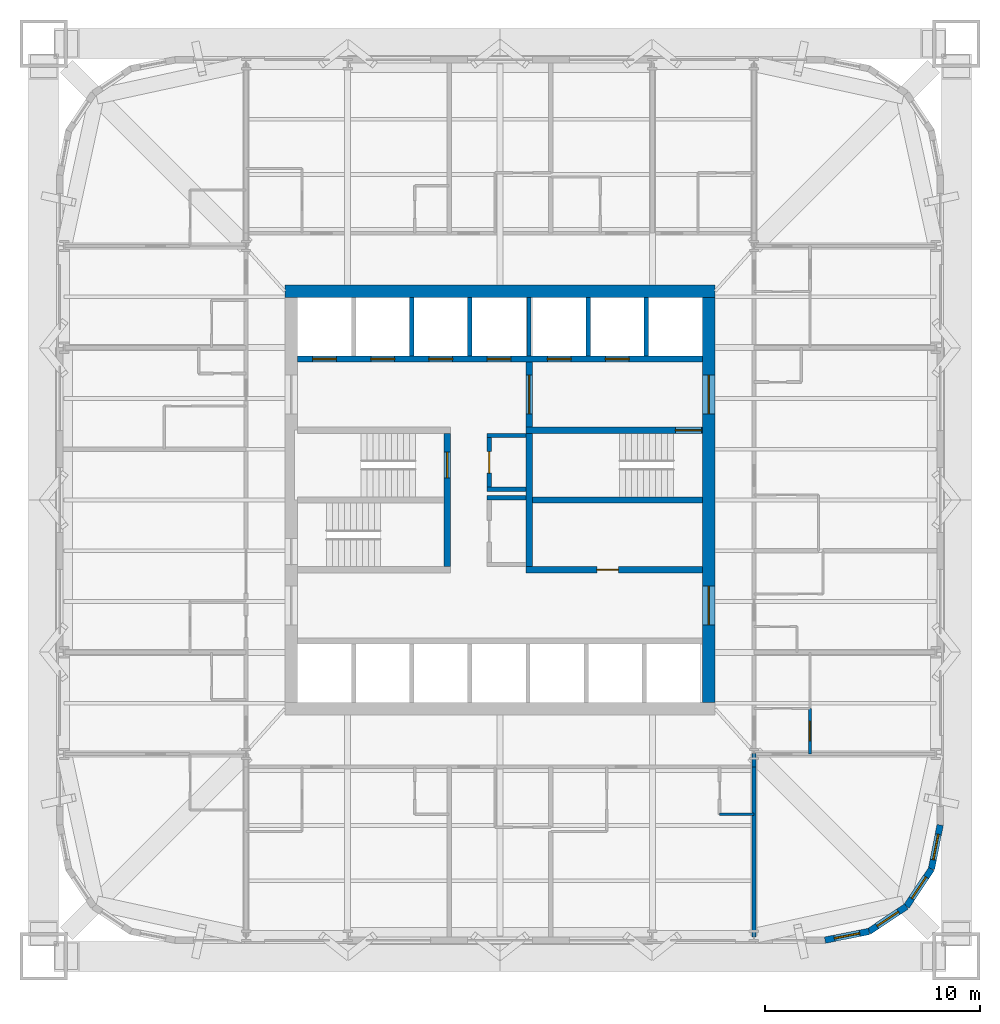
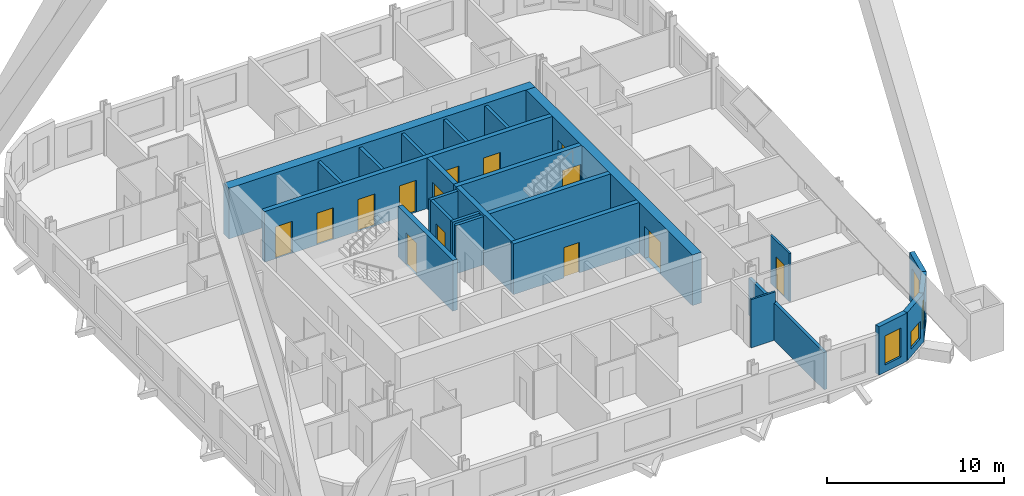
# One storey, part 5 of 9: 25 walls, 14 doors, 4 windows, 18 openings.
"""IFC4 building model written with IfcOpenShell, lengths in metres."""

from ifc_helpers import new_model, si_unit, direction, frame, frame_2d, origin, place, context, subcontext, project, spatial, rectangle, extrude, material, layer, layer_set, type_object, element, fill, save


model = new_model("IFC4")

# Units and contexts
model_context = context("Model", 3, precision=1e-05, world=origin(), true_north=direction((0.0, 1.0)))
body_context = subcontext(model_context, "Body", "Model", "MODEL_VIEW")
ifc_project = project(units=[si_unit("LENGTHUNIT", "METRE"), si_unit("AREAUNIT", "SQUARE_METRE"), si_unit("VOLUMEUNIT", "CUBIC_METRE"), si_unit("PLANEANGLEUNIT", "RADIAN"), si_unit("MASSUNIT", "GRAM", prefix="KILO")], contexts=[model_context])

# Site, building, storey
site_placement = place(None, origin())
site = spatial("IfcSite", under=ifc_project, at=site_placement, CompositionType="ELEMENT")
building_placement = place(site_placement, origin())
building = spatial("IfcBuilding", under=site, at=building_placement, Name="Turquesa Mirador Hotel Tower", CompositionType="ELEMENT")
storey_placement = place(building_placement, frame((0.0, 0.0, 93.39990234375)))
storey = spatial("IfcBuildingStorey", under=building, at=storey_placement, Name="L24", CompositionType="ELEMENT", Elevation=93.39990234375)

# Wall, openings, doors
ifc_material_1 = material(Name="Concrete C50/60", Category="concrete")
ifc_layer_1 = layer(ifc_material_1, 0.300048828125)
ifc_layer_set_1 = layer_set([ifc_layer_1], Name="CORE INNER WALL 300")
wall_type_1 = type_object("IfcWallType", Name="CORE INNER WALL 300", PredefinedType="SHEAR", material=ifc_layer_set_1)
wall_1_placement = place(storey_placement, frame((45.60009765625, 51.550048828125, 0.0), z_axis=(0.0, 0.0, 1.0), x_axis=(1.0, 0.0, 0.0)))
wall_1 = element("IfcWall", 1, at=wall_1_placement, inside=storey, type_object=wall_type_1, Name="Core wall NL", PredefinedType="SHEAR", context=body_context, shape_type="SweptSolid", body=[
    extrude(rectangle(XDim=18.7998046875, YDim=0.300048828125, at=frame_2d((9.39990234375, 0.0))), origin(), (0.0, 0.0, 1.0), 3.5),
])
opening_1_placement = place(wall_1_placement, frame((0.699951171875, 0.0, 0.0)))
opening_1 = element("IfcOpeningElement", 2, at=opening_1_placement, cuts=wall_1, Name="Opening LD", PredefinedType="OPENING", context=body_context, shape_type="SweptSolid", body=[
    extrude(rectangle(XDim=1.10009765625, YDim=2.199951171875, at=frame_2d((0.550048828125, 1.10009765625))), frame((0.0, 0.159912109375, 0.0), z_axis=(0.0, -1.0, 0.0), x_axis=(1.0, 0.0, 0.0)), (0.0, 0.0, 1.0), 0.320068359375),
])
opening_2_placement = place(wall_1_placement, frame((3.39990234375, 0.0, 0.0)))
opening_2 = element("IfcOpeningElement", 3, at=opening_2_placement, cuts=wall_1, Name="Opening LD", PredefinedType="OPENING", context=body_context, shape_type="SweptSolid", body=[
    extrude(rectangle(XDim=1.10009765625, YDim=2.199951171875, at=frame_2d((0.550048828125, 1.10009765625))), frame((0.0, 0.159912109375, 0.0), z_axis=(0.0, -1.0, 0.0), x_axis=(1.0, 0.0, 0.0)), (0.0, 0.0, 1.0), 0.320068359375),
])
opening_3_placement = place(wall_1_placement, frame((6.10009765625, 0.0, 0.0)))
opening_3 = element("IfcOpeningElement", 4, at=opening_3_placement, cuts=wall_1, Name="Opening LD", PredefinedType="OPENING", context=body_context, shape_type="SweptSolid", body=[
    extrude(rectangle(XDim=1.10009765625, YDim=2.199951171875, at=frame_2d((0.550048828125, 1.10009765625))), frame((0.0, 0.159912109375, 0.0), z_axis=(0.0, -1.0, 0.0), x_axis=(1.0, 0.0, 0.0)), (0.0, 0.0, 1.0), 0.320068359375),
])
opening_4_placement = place(wall_1_placement, frame((8.800048828125, 0.0, 0.0)))
opening_4 = element("IfcOpeningElement", 5, at=opening_4_placement, cuts=wall_1, Name="Opening LD", PredefinedType="OPENING", context=body_context, shape_type="SweptSolid", body=[
    extrude(rectangle(XDim=1.10009765625, YDim=2.199951171875, at=frame_2d((0.550048828125, 1.10009765625))), frame((0.0, 0.159912109375, 0.0), z_axis=(0.0, -1.0, 0.0), x_axis=(1.0, 0.0, 0.0)), (0.0, 0.0, 1.0), 0.320068359375),
])
opening_5_placement = place(wall_1_placement, frame((11.60009765625, 0.0, 0.0)))
opening_5 = element("IfcOpeningElement", 6, at=opening_5_placement, cuts=wall_1, Name="Opening LD", PredefinedType="OPENING", context=body_context, shape_type="SweptSolid", body=[
    extrude(rectangle(XDim=1.10009765625, YDim=2.199951171875, at=frame_2d((0.550048828125, 1.10009765625))), frame((0.0, 0.159912109375, 0.0), z_axis=(0.0, -1.0, 0.0), x_axis=(1.0, 0.0, 0.0)), (0.0, 0.0, 1.0), 0.320068359375),
])
opening_6_placement = place(wall_1_placement, frame((14.300048828125, 0.0, 0.0)))
opening_6 = element("IfcOpeningElement", 7, at=opening_6_placement, cuts=wall_1, Name="Opening LD", PredefinedType="OPENING", context=body_context, shape_type="SweptSolid", body=[
    extrude(rectangle(XDim=1.10009765625, YDim=2.199951171875, at=frame_2d((0.550048828125, 1.10009765625))), frame((0.0, 0.159912109375, 0.0), z_axis=(0.0, -1.0, 0.0), x_axis=(1.0, 0.0, 0.0)), (0.0, 0.0, 1.0), 0.320068359375),
])
ifc_material_2 = material(Name="Stainless steel lift landing door", Category="steel")
door_type_1 = type_object("IfcDoorType", Name="LIFT LANDING DOOR 1100X2200", OperationType="SLIDING_TO_LEFT", PredefinedType="DOOR", material=ifc_material_2)
door_1_placement = place(opening_1_placement, origin())
door_1 = element("IfcDoor", 8, at=door_1_placement, inside=storey, type_object=door_type_1, Name="Lift A1 landing door", OperationType="SLIDING_TO_LEFT", OverallHeight=2.199951171875, OverallWidth=1.10009765625, PredefinedType="DOOR", context=body_context, shape_type="SweptSolid", body=[
    extrude(rectangle(XDim=1.10009765625, YDim=2.199951171875, at=frame_2d((0.550048828125, 1.10009765625))), frame((0.0, 0.02490234375, 0.0), z_axis=(0.0, -1.0, 0.0), x_axis=(1.0, 0.0, 0.0)), (0.0, 0.0, 1.0), 0.050048828125),
])
fill(opening_1, door_1)
door_2_placement = place(opening_2_placement, origin())
door_2 = element("IfcDoor", 9, at=door_2_placement, inside=storey, type_object=door_type_1, Name="Lift A2 landing door", OperationType="SLIDING_TO_LEFT", OverallHeight=2.199951171875, OverallWidth=1.10009765625, PredefinedType="DOOR", context=body_context, shape_type="SweptSolid", body=[
    extrude(rectangle(XDim=1.10009765625, YDim=2.199951171875, at=frame_2d((0.550048828125, 1.10009765625))), frame((0.0, 0.02490234375, 0.0), z_axis=(0.0, -1.0, 0.0), x_axis=(1.0, 0.0, 0.0)), (0.0, 0.0, 1.0), 0.050048828125),
])
fill(opening_2, door_2)
door_3_placement = place(opening_3_placement, origin())
door_3 = element("IfcDoor", 10, at=door_3_placement, inside=storey, type_object=door_type_1, Name="Lift A3 landing door", OperationType="SLIDING_TO_LEFT", OverallHeight=2.199951171875, OverallWidth=1.10009765625, PredefinedType="DOOR", context=body_context, shape_type="SweptSolid", body=[
    extrude(rectangle(XDim=1.10009765625, YDim=2.199951171875, at=frame_2d((0.550048828125, 1.10009765625))), frame((0.0, 0.02490234375, 0.0), z_axis=(0.0, -1.0, 0.0), x_axis=(1.0, 0.0, 0.0)), (0.0, 0.0, 1.0), 0.050048828125),
])
fill(opening_3, door_3)
door_4_placement = place(opening_4_placement, origin())
door_4 = element("IfcDoor", 11, at=door_4_placement, inside=storey, type_object=door_type_1, Name="Lift A4 landing door", OperationType="SLIDING_TO_LEFT", OverallHeight=2.199951171875, OverallWidth=1.10009765625, PredefinedType="DOOR", context=body_context, shape_type="SweptSolid", body=[
    extrude(rectangle(XDim=1.10009765625, YDim=2.199951171875, at=frame_2d((0.550048828125, 1.10009765625))), frame((0.0, 0.02490234375, 0.0), z_axis=(0.0, -1.0, 0.0), x_axis=(1.0, 0.0, 0.0)), (0.0, 0.0, 1.0), 0.050048828125),
])
fill(opening_4, door_4)
door_5_placement = place(opening_5_placement, origin())
door_5 = element("IfcDoor", 12, at=door_5_placement, inside=storey, type_object=door_type_1, Name="Lift S1 landing door", OperationType="SLIDING_TO_LEFT", OverallHeight=2.199951171875, OverallWidth=1.10009765625, PredefinedType="DOOR", context=body_context, shape_type="SweptSolid", body=[
    extrude(rectangle(XDim=1.10009765625, YDim=2.199951171875, at=frame_2d((0.550048828125, 1.10009765625))), frame((0.0, 0.02490234375, 0.0), z_axis=(0.0, -1.0, 0.0), x_axis=(1.0, 0.0, 0.0)), (0.0, 0.0, 1.0), 0.050048828125),
])
fill(opening_5, door_5)
door_6_placement = place(opening_6_placement, origin())
door_6 = element("IfcDoor", 13, at=door_6_placement, inside=storey, type_object=door_type_1, Name="Lift S2 landing door", OperationType="SLIDING_TO_LEFT", OverallHeight=2.199951171875, OverallWidth=1.10009765625, PredefinedType="DOOR", context=body_context, shape_type="SweptSolid", body=[
    extrude(rectangle(XDim=1.10009765625, YDim=2.199951171875, at=frame_2d((0.550048828125, 1.10009765625))), frame((0.0, 0.02490234375, 0.0), z_axis=(0.0, -1.0, 0.0), x_axis=(1.0, 0.0, 0.0)), (0.0, 0.0, 1.0), 0.050048828125),
])
fill(opening_6, door_6)

# Wall, opening, door
wall_2_placement = place(storey_placement, frame((56.199951171875, 48.25, 0.0), z_axis=(0.0, 0.0, 1.0), x_axis=(1.0, 0.0, 0.0)))
wall_2 = element("IfcWall", 14, at=wall_2_placement, inside=storey, type_object=wall_type_1, Name="Core wall MN-E", PredefinedType="SHEAR", context=body_context, shape_type="SweptSolid", body=[
    extrude(rectangle(XDim=8.199951171875, YDim=0.300048828125, at=frame_2d((4.10009765625, 0.0))), origin(), (0.0, 0.0, 1.0), 3.5),
])
opening_7_placement = place(wall_2_placement, frame((6.949951171875, 0.0, 0.0)))
opening_7 = element("IfcOpeningElement", 15, at=opening_7_placement, cuts=wall_2, Name="Opening D03", PredefinedType="OPENING", context=body_context, shape_type="SweptSolid", body=[
    extrude(rectangle(XDim=1.199951171875, YDim=2.199951171875, at=frame_2d((0.60009765625, 1.10009765625))), frame((0.0, 0.159912109375, 0.0), z_axis=(0.0, -1.0, 0.0), x_axis=(1.0, 0.0, 0.0)), (0.0, 0.0, 1.0), 0.320068359375),
])
ifc_material_3 = material(Name="Steel fire door", Category="steel")
door_type_2 = type_object("IfcDoorType", Name="DOOR 1200X2200 STAIR", OperationType="SINGLE_SWING_LEFT", PredefinedType="DOOR", material=ifc_material_3)
door_7_placement = place(opening_7_placement, origin())
door_7 = element("IfcDoor", 16, at=door_7_placement, inside=storey, type_object=door_type_2, Name="Stair ST3 door", OperationType="SINGLE_SWING_LEFT", OverallHeight=2.199951171875, OverallWidth=1.199951171875, PredefinedType="DOOR", context=body_context, shape_type="SweptSolid", body=[
    extrude(rectangle(XDim=1.199951171875, YDim=2.199951171875, at=frame_2d((0.60009765625, 1.10009765625))), frame((0.0, 0.02490234375, 0.0), z_axis=(0.0, -1.0, 0.0), x_axis=(1.0, 0.0, 0.0)), (0.0, 0.0, 1.0), 0.050048828125),
])
fill(opening_7, door_7)

wall_3_placement = place(storey_placement, frame((56.199951171875, 41.75, 0.0), z_axis=(0.0, 0.0, 1.0), x_axis=(1.0, 0.0, 0.0)))
wall_3 = element("IfcWall", 17, at=wall_3_placement, inside=storey, type_object=wall_type_1, Name="Core wall MS-E", PredefinedType="SHEAR", context=body_context, shape_type="SweptSolid", body=[
    extrude(rectangle(XDim=8.199951171875, YDim=0.300048828125, at=frame_2d((4.10009765625, 0.0))), origin(), (0.0, 0.0, 1.0), 3.5),
])
opening_8_placement = place(wall_3_placement, frame((3.300048828125, 0.0, 0.0)))
opening_8 = element("IfcOpeningElement", 18, at=opening_8_placement, cuts=wall_3, Name="Opening D05", PredefinedType="OPENING", context=body_context, shape_type="SweptSolid", body=[
    extrude(rectangle(XDim=1.0, YDim=2.10009765625, at=frame_2d((0.5, 1.050048828125))), frame((0.0, 0.159912109375, 0.0), z_axis=(0.0, -1.0, 0.0), x_axis=(1.0, 0.0, 0.0)), (0.0, 0.0, 1.0), 0.320068359375),
])
ifc_material_4 = material(Name="Steel fire door", Category="steel")
door_type_3 = type_object("IfcDoorType", Name="DOOR 1000X2100 SERVICE", OperationType="SINGLE_SWING_LEFT", PredefinedType="DOOR", material=ifc_material_4)
door_8_placement = place(opening_8_placement, origin())
door_8 = element("IfcDoor", 19, at=door_8_placement, inside=storey, type_object=door_type_3, Name="Housekeeping room door", OperationType="SINGLE_SWING_LEFT", OverallHeight=2.10009765625, OverallWidth=1.0, PredefinedType="DOOR", context=body_context, shape_type="SweptSolid", body=[
    extrude(rectangle(XDim=1.0, YDim=2.10009765625, at=frame_2d((0.5, 1.050048828125))), frame((0.0, 0.02490234375, 0.0), z_axis=(0.0, -1.0, 0.0), x_axis=(1.0, 0.0, 0.0)), (0.0, 0.0, 1.0), 0.050048828125),
])
fill(opening_8, door_8)

wall_4_placement = place(storey_placement, frame((52.550048828125, 41.89990234375, 0.0), z_axis=(0.0, 0.0, 1.0), x_axis=(0.0, 1.0, 0.0)))
wall_4 = element("IfcWall", 20, at=wall_4_placement, inside=storey, type_object=wall_type_1, Name="Core wall PW", PredefinedType="SHEAR", context=body_context, shape_type="SweptSolid", body=[
    extrude(rectangle(XDim=6.2001953125, YDim=0.300048828125, at=frame_2d((3.10009765625, 0.0))), origin(), (0.0, 0.0, 1.0), 3.5),
])
opening_9_placement = place(wall_4_placement, frame((4.125, 0.0, 0.0)))
opening_9 = element("IfcOpeningElement", 21, at=opening_9_placement, cuts=wall_4, Name="Opening D03", PredefinedType="OPENING", context=body_context, shape_type="SweptSolid", body=[
    extrude(rectangle(XDim=1.199951171875, YDim=2.199951171875, at=frame_2d((0.60009765625, 1.10009765625))), frame((0.0, 0.159912109375, 0.0), z_axis=(0.0, -1.0, 0.0), x_axis=(1.0, 0.0, 0.0)), (0.0, 0.0, 1.0), 0.320068359375),
])
door_9_placement = place(opening_9_placement, origin())
door_9 = element("IfcDoor", 22, at=door_9_placement, inside=storey, type_object=door_type_2, Name="Stair ST1 door", OperationType="SINGLE_SWING_LEFT", OverallHeight=2.199951171875, OverallWidth=1.199951171875, PredefinedType="DOOR", context=body_context, shape_type="SweptSolid", body=[
    extrude(rectangle(XDim=1.199951171875, YDim=2.199951171875, at=frame_2d((0.60009765625, 1.10009765625))), frame((0.0, 0.02490234375, 0.0), z_axis=(0.0, -1.0, 0.0), x_axis=(1.0, 0.0, 0.0)), (0.0, 0.0, 1.0), 0.050048828125),
])
fill(opening_9, door_9)

wall_5_placement = place(storey_placement, frame((56.35009765625, 41.89990234375, 0.0), z_axis=(0.0, 0.0, 1.0), x_axis=(0.0, 1.0, 0.0)))
wall_5 = element("IfcWall", 23, at=wall_5_placement, inside=storey, type_object=wall_type_1, Name="Core wall PE", PredefinedType="SHEAR", context=body_context, shape_type="SweptSolid", body=[
    extrude(rectangle(XDim=9.5, YDim=0.300048828125, at=frame_2d((4.75, 0.0))), origin(), (0.0, 0.0, 1.0), 3.5),
])
opening_10_placement = place(wall_5_placement, frame((7.10009765625, 0.0, 0.0)))
opening_10 = element("IfcOpeningElement", 24, at=opening_10_placement, cuts=wall_5, Name="Opening D04", PredefinedType="OPENING", context=body_context, shape_type="SweptSolid", body=[
    extrude(rectangle(XDim=1.800048828125, YDim=2.199951171875, at=frame_2d((0.89990234375, 1.10009765625))), frame((0.0, 0.159912109375, 0.0), z_axis=(0.0, -1.0, 0.0), x_axis=(1.0, 0.0, 0.0)), (0.0, 0.0, 1.0), 0.320068359375),
])
ifc_material_5 = material(Name="Steel fire door pair", Category="steel")
door_type_4 = type_object("IfcDoorType", Name="DOOR 1800X2200 PAIR", OperationType="DOUBLE_DOOR_SINGLE_SWING", PredefinedType="DOOR", material=ifc_material_5)
door_10_placement = place(opening_10_placement, origin())
door_10 = element("IfcDoor", 25, at=door_10_placement, inside=storey, type_object=door_type_4, Name="Firefighting lobby inner door", OperationType="DOUBLE_DOOR_SINGLE_SWING", OverallHeight=2.199951171875, OverallWidth=1.800048828125, PredefinedType="DOOR", context=body_context, shape_type="SweptSolid", body=[
    extrude(rectangle(XDim=1.800048828125, YDim=2.199951171875, at=frame_2d((0.89990234375, 1.10009765625))), frame((0.0, 0.02490234375, 0.0), z_axis=(0.0, -1.0, 0.0), x_axis=(1.0, 0.0, 0.0)), (0.0, 0.0, 1.0), 0.050048828125),
])
fill(opening_10, door_10)

# Walls
wall_6_placement = place(storey_placement, frame((56.5, 45.0, 0.0), z_axis=(0.0, 0.0, 1.0), x_axis=(1.0, 0.0, 0.0)))
element("IfcWall", 26, at=wall_6_placement, inside=storey, type_object=wall_type_1, Name="Core wall M0-E", PredefinedType="SHEAR", context=body_context, shape_type="SweptSolid", body=[
    extrude(rectangle(XDim=7.89990234375, YDim=0.300048828125, at=frame_2d((3.949951171875, 0.0))), origin(), (0.0, 0.0, 1.0), 3.5),
])
ifc_material_6 = material(Name="Concrete C50/60", Category="concrete")
ifc_layer_2 = layer(ifc_material_6, 0.60009765625)
ifc_layer_set_2 = layer_set([ifc_layer_2], Name="CORE WALL 600")
wall_type_2 = type_object("IfcWallType", Name="CORE WALL 600", PredefinedType="SHEAR", material=ifc_layer_set_2)
wall_7_placement = place(storey_placement, frame((45.0, 54.699951171875, 0.0), z_axis=(0.0, 0.0, 1.0), x_axis=(1.0, 0.0, 0.0)))
element("IfcWall", 27, at=wall_7_placement, inside=storey, type_object=wall_type_2, Name="Core wall N", PredefinedType="SHEAR", context=body_context, shape_type="SweptSolid", body=[
    extrude(rectangle(XDim=20.0, YDim=0.60009765625, at=frame_2d((10.0, 0.0))), origin(), (0.0, 0.0, 1.0), 3.5),
])

# Wall, openings, doors
wall_8_placement = place(storey_placement, frame((64.699951171875, 35.60009765625, 0.0), z_axis=(0.0, 0.0, 1.0), x_axis=(0.0, 1.0, 0.0)))
wall_8 = element("IfcWall", 28, at=wall_8_placement, inside=storey, type_object=wall_type_2, Name="Core wall E", PredefinedType="SHEAR", context=body_context, shape_type="SweptSolid", body=[
    extrude(rectangle(XDim=18.7998046875, YDim=0.60009765625, at=frame_2d((9.39990234375, 0.0))), origin(), (0.0, 0.0, 1.0), 3.5),
])
opening_11_placement = place(wall_8_placement, frame((13.39990234375, 0.0, 0.0)))
opening_11 = element("IfcOpeningElement", 29, at=opening_11_placement, cuts=wall_8, Name="Opening D04", PredefinedType="OPENING", context=body_context, shape_type="SweptSolid", body=[
    extrude(rectangle(XDim=1.800048828125, YDim=2.199951171875, at=frame_2d((0.89990234375, 1.10009765625))), frame((0.0, 0.31005859375, 0.0), z_axis=(0.0, -1.0, 0.0), x_axis=(1.0, 0.0, 0.0)), (0.0, 0.0, 1.0), 0.6201171875),
])
opening_12_placement = place(wall_8_placement, frame((3.60009765625, 0.0, 0.0)))
opening_12 = element("IfcOpeningElement", 30, at=opening_12_placement, cuts=wall_8, Name="Opening D04", PredefinedType="OPENING", context=body_context, shape_type="SweptSolid", body=[
    extrude(rectangle(XDim=1.800048828125, YDim=2.199951171875, at=frame_2d((0.89990234375, 1.10009765625))), frame((0.0, 0.31005859375, 0.0), z_axis=(0.0, -1.0, 0.0), x_axis=(1.0, 0.0, 0.0)), (0.0, 0.0, 1.0), 0.6201171875),
])
door_11_placement = place(opening_11_placement, origin())
door_11 = element("IfcDoor", 31, at=door_11_placement, inside=storey, type_object=door_type_4, Name="Firefighting lobby door", OperationType="DOUBLE_DOOR_SINGLE_SWING", OverallHeight=2.199951171875, OverallWidth=1.800048828125, PredefinedType="DOOR", context=body_context, shape_type="SweptSolid", body=[
    extrude(rectangle(XDim=1.800048828125, YDim=2.199951171875, at=frame_2d((0.89990234375, 1.10009765625))), frame((0.0, 0.02490234375, 0.0), z_axis=(0.0, -1.0, 0.0), x_axis=(1.0, 0.0, 0.0)), (0.0, 0.0, 1.0), 0.050048828125),
])
fill(opening_11, door_11)
door_12_placement = place(opening_12_placement, origin())
door_12 = element("IfcDoor", 32, at=door_12_placement, inside=storey, type_object=door_type_4, Name="South lift lobby door", OperationType="DOUBLE_DOOR_SINGLE_SWING", OverallHeight=2.199951171875, OverallWidth=1.800048828125, PredefinedType="DOOR", context=body_context, shape_type="SweptSolid", body=[
    extrude(rectangle(XDim=1.800048828125, YDim=2.199951171875, at=frame_2d((0.89990234375, 1.10009765625))), frame((0.0, 0.02490234375, 0.0), z_axis=(0.0, -1.0, 0.0), x_axis=(1.0, 0.0, 0.0)), (0.0, 0.0, 1.0), 0.050048828125),
])
fill(opening_12, door_12)

# Wall
ifc_material_7 = material(Name="Fire-rated gypsum board on steel studs", Category="steel")
ifc_layer_3 = layer(ifc_material_7, 0.199951171875)
ifc_layer_set_3 = layer_set([ifc_layer_3], Name="CORRIDOR WALL 200")
wall_type_3 = type_object("IfcWallType", Name="CORRIDOR WALL 200", PredefinedType="PARTITIONING", material=ifc_layer_set_3)
wall_9_placement = place(storey_placement, frame((66.800048828125, 32.60009765625, 0.0), z_axis=(0.0, 0.0, 1.0), x_axis=(0.0, 1.0, 0.0)))
element("IfcWall", 33, at=wall_9_placement, inside=storey, type_object=wall_type_3, Name="Partition L24 079", PredefinedType="PARTITIONING", context=body_context, shape_type="SweptSolid", body=[
    extrude(rectangle(XDim=0.619873046875, YDim=0.199951171875, at=frame_2d((0.31005859375, 0.0))), origin(), (0.0, 0.0, 1.0), 2.5732421875),
])

# Wall, opening, window
ifc_material_8 = material(Name="Limestone cladding on concrete block", Category="masonry")
ifc_layer_4 = layer(ifc_material_8, 0.300048828125)
ifc_layer_set_4 = layer_set([ifc_layer_4], Name="FACADE WALL 300 STONE SCREEN")
wall_type_4 = type_object("IfcWallType", Name="FACADE WALL 300 STONE SCREEN", PredefinedType="SOLIDWALL", material=ifc_layer_set_4)
wall_10_placement = place(storey_placement, frame((70.10009765625, 24.550048828125, 0.0), z_axis=(0.0, 0.0, 1.0), x_axis=(0.980787050784, 0.195081421501, 0.0)))
wall_10 = element("IfcWall", 34, at=wall_10_placement, inside=storey, type_object=wall_type_4, Name="Facade wall L24 00", PredefinedType="SOLIDWALL", context=body_context, shape_type="SweptSolid", body=[
    extrude(rectangle(XDim=2.08740234375, YDim=0.300048828125, at=frame_2d((1.043701171875, 0.0))), origin(), (0.0, 0.0, 1.0), 3.330078125),
])
opening_13_placement = place(wall_10_placement, frame((0.443603515625, 0.0, 0.5)))
opening_13 = element("IfcOpeningElement", 35, at=opening_13_placement, cuts=wall_10, Name="Opening WN4", PredefinedType="OPENING", context=body_context, shape_type="SweptSolid", body=[
    extrude(rectangle(XDim=1.199951171875, YDim=2.0, at=frame_2d((0.60009765625, 1.0))), frame((0.0, 0.159912109375, 0.0), z_axis=(0.0, -1.0, 0.0), x_axis=(1.0, 0.0, 0.0)), (0.0, 0.0, 1.0), 0.320068359375),
])
ifc_material_9 = material(Name="Ceramic-fritted laminated glass", Category="glass")
window_type_1 = type_object("IfcWindowType", Name="FRITTED CORNER WINDOW 1200X2000", PartitioningType="DOUBLE_PANEL_HORIZONTAL", PredefinedType="WINDOW", material=ifc_material_9)
window_1_placement = place(opening_13_placement, origin())
window_1 = element("IfcWindow", 36, at=window_1_placement, inside=storey, type_object=window_type_1, Name="Window L24", OverallHeight=2.0, OverallWidth=1.199951171875, PartitioningType="SINGLE_PANEL", PredefinedType="WINDOW", context=body_context, shape_type="SweptSolid", body=[
    extrude(rectangle(XDim=1.199951171875, YDim=2.0, at=frame_2d((0.60009765625, 1.0))), frame((0.0, 0.030029296875, 0.0), z_axis=(0.0, -1.0, 0.0), x_axis=(1.0, 0.0, 0.0)), (0.0, 0.0, 1.0), 0.06005859375),
])
fill(opening_13, window_1)

wall_11_placement = place(storey_placement, frame((72.1474609375, 24.957275390625, 0.0), z_axis=(0.0, 0.0, 1.0), x_axis=(0.831474039234, 0.555563607591, 0.0)))
wall_11 = element("IfcWall", 37, at=wall_11_placement, inside=storey, type_object=wall_type_4, Name="Facade wall L24 01", PredefinedType="SOLIDWALL", context=body_context, shape_type="SweptSolid", body=[
    extrude(rectangle(XDim=2.08740234375, YDim=0.300048828125, at=frame_2d((1.043701171875, 0.0))), origin(), (0.0, 0.0, 1.0), 3.330078125),
])
opening_14_placement = place(wall_11_placement, frame((0.443603515625, 0.0, 0.5)))
opening_14 = element("IfcOpeningElement", 38, at=opening_14_placement, cuts=wall_11, Name="Opening WN23", PredefinedType="OPENING", context=body_context, shape_type="SweptSolid", body=[
    extrude(rectangle(XDim=1.199951171875, YDim=1.199951171875, at=frame_2d((0.60009765625, 0.60009765625))), frame((0.0, 0.159912109375, 0.0), z_axis=(0.0, -1.0, 0.0), x_axis=(1.0, 0.0, 0.0)), (0.0, 0.0, 1.0), 0.320068359375),
])
ifc_material_10 = material(Name="Ceramic-fritted laminated glass", Category="glass")
window_type_2 = type_object("IfcWindowType", Name="FRITTED CORNER WINDOW 1200X1200", PartitioningType="DOUBLE_PANEL_HORIZONTAL", PredefinedType="WINDOW", material=ifc_material_10)
window_2_placement = place(opening_14_placement, origin())
window_2 = element("IfcWindow", 39, at=window_2_placement, inside=storey, type_object=window_type_2, Name="Window L24", OverallHeight=1.199951171875, OverallWidth=1.199951171875, PartitioningType="SINGLE_PANEL", PredefinedType="WINDOW", context=body_context, shape_type="SweptSolid", body=[
    extrude(rectangle(XDim=1.199951171875, YDim=1.199951171875, at=frame_2d((0.60009765625, 0.60009765625))), frame((0.0, 0.030029296875, 0.0), z_axis=(0.0, -1.0, 0.0), x_axis=(1.0, 0.0, 0.0)), (0.0, 0.0, 1.0), 0.06005859375),
])
fill(opening_14, window_2)

wall_12_placement = place(storey_placement, frame((73.883056640625, 26.116943359375, 0.0), z_axis=(0.0, 0.0, 1.0), x_axis=(0.555563607591, 0.831474039234, 0.0)))
wall_12 = element("IfcWall", 40, at=wall_12_placement, inside=storey, type_object=wall_type_4, Name="Facade wall L24 02", PredefinedType="SOLIDWALL", context=body_context, shape_type="SweptSolid", body=[
    extrude(rectangle(XDim=2.08740234375, YDim=0.300048828125, at=frame_2d((1.043701171875, 0.0))), origin(), (0.0, 0.0, 1.0), 3.330078125),
])
opening_15_placement = place(wall_12_placement, frame((0.443603515625, 0.0, 0.5)))
opening_15 = element("IfcOpeningElement", 41, at=opening_15_placement, cuts=wall_12, Name="Opening WN23", PredefinedType="OPENING", context=body_context, shape_type="SweptSolid", body=[
    extrude(rectangle(XDim=1.199951171875, YDim=1.199951171875, at=frame_2d((0.60009765625, 0.60009765625))), frame((0.0, 0.159912109375, 0.0), z_axis=(0.0, -1.0, 0.0), x_axis=(1.0, 0.0, 0.0)), (0.0, 0.0, 1.0), 0.320068359375),
])
window_3_placement = place(opening_15_placement, origin())
window_3 = element("IfcWindow", 42, at=window_3_placement, inside=storey, type_object=window_type_2, Name="Window L24", OverallHeight=1.199951171875, OverallWidth=1.199951171875, PartitioningType="SINGLE_PANEL", PredefinedType="WINDOW", context=body_context, shape_type="SweptSolid", body=[
    extrude(rectangle(XDim=1.199951171875, YDim=1.199951171875, at=frame_2d((0.60009765625, 0.60009765625))), frame((0.0, 0.030029296875, 0.0), z_axis=(0.0, -1.0, 0.0), x_axis=(1.0, 0.0, 0.0)), (0.0, 0.0, 1.0), 0.06005859375),
])
fill(opening_15, window_3)

wall_13_placement = place(storey_placement, frame((75.042724609375, 27.8525390625, 0.0), z_axis=(0.0, 0.0, 1.0), x_axis=(0.195081421501, 0.980787050784, 0.0)))
wall_13 = element("IfcWall", 43, at=wall_13_placement, inside=storey, type_object=wall_type_4, Name="Facade wall L24 03", PredefinedType="SOLIDWALL", context=body_context, shape_type="SweptSolid", body=[
    extrude(rectangle(XDim=2.08740234375, YDim=0.300048828125, at=frame_2d((1.043701171875, 0.0))), origin(), (0.0, 0.0, 1.0), 3.330078125),
])
opening_16_placement = place(wall_13_placement, frame((0.443603515625, 0.0, 0.5)))
opening_16 = element("IfcOpeningElement", 44, at=opening_16_placement, cuts=wall_13, Name="Opening WN4", PredefinedType="OPENING", context=body_context, shape_type="SweptSolid", body=[
    extrude(rectangle(XDim=1.199951171875, YDim=2.0, at=frame_2d((0.60009765625, 1.0))), frame((0.0, 0.159912109375, 0.0), z_axis=(0.0, -1.0, 0.0), x_axis=(1.0, 0.0, 0.0)), (0.0, 0.0, 1.0), 0.320068359375),
])
window_4_placement = place(opening_16_placement, origin())
window_4 = element("IfcWindow", 45, at=window_4_placement, inside=storey, type_object=window_type_1, Name="Window L24", OverallHeight=2.0, OverallWidth=1.199951171875, PartitioningType="SINGLE_PANEL", PredefinedType="WINDOW", context=body_context, shape_type="SweptSolid", body=[
    extrude(rectangle(XDim=1.199951171875, YDim=2.0, at=frame_2d((0.60009765625, 1.0))), frame((0.0, 0.030029296875, 0.0), z_axis=(0.0, -1.0, 0.0), x_axis=(1.0, 0.0, 0.0)), (0.0, 0.0, 1.0), 0.06005859375),
])
fill(opening_16, window_4)

# Wall
ifc_material_11 = material(Name="Fire-rated gypsum board on steel studs", Category="steel")
ifc_layer_5 = layer(ifc_material_11, 0.199951171875)
ifc_layer_set_5 = layer_set([ifc_layer_5], Name="FIRE PARTITION 200")
wall_type_5 = type_object("IfcWallType", Name="FIRE PARTITION 200", PredefinedType="PARTITIONING", material=ifc_layer_set_5)
wall_14_placement = place(storey_placement, frame((54.39990234375, 45.10009765625, 0.0), z_axis=(0.0, 0.0, 1.0), x_axis=(1.0, 0.0, 0.0)))
element("IfcWall", 46, at=wall_14_placement, inside=storey, type_object=wall_type_5, Name="Partition L24 BP N", PredefinedType="PARTITIONING", context=body_context, shape_type="SweptSolid", body=[
    extrude(rectangle(XDim=1.800048828125, YDim=0.199951171875, at=frame_2d((0.89990234375, 0.0))), origin(), (0.0, 0.0, 1.0), 3.330078125),
])

# Wall, opening, door
wall_15_placement = place(storey_placement, frame((54.5, 45.5, 0.0), z_axis=(0.0, 0.0, 1.0), x_axis=(0.0, 1.0, 0.0)))
wall_15 = element("IfcWall", 47, at=wall_15_placement, inside=storey, type_object=wall_type_5, Name="Partition L24 BO W", PredefinedType="PARTITIONING", context=body_context, shape_type="SweptSolid", body=[
    extrude(rectangle(XDim=2.5, YDim=0.199951171875, at=frame_2d((1.25, 0.0))), origin(), (0.0, 0.0, 1.0), 3.330078125),
])
opening_17_placement = place(wall_15_placement, frame((0.75, 0.0, 0.0)))
opening_17 = element("IfcOpeningElement", 48, at=opening_17_placement, cuts=wall_15, Name="Opening D05", PredefinedType="OPENING", context=body_context, shape_type="SweptSolid", body=[
    extrude(rectangle(XDim=1.0, YDim=2.10009765625, at=frame_2d((0.5, 1.050048828125))), frame((0.0, 0.10986328125, 0.0), z_axis=(0.0, -1.0, 0.0), x_axis=(1.0, 0.0, 0.0)), (0.0, 0.0, 1.0), 0.219970703125),
])
door_13_placement = place(opening_17_placement, origin())
door_13 = element("IfcDoor", 49, at=door_13_placement, inside=storey, type_object=door_type_3, Name="Butler's pantry door", OperationType="SINGLE_SWING_LEFT", OverallHeight=2.10009765625, OverallWidth=1.0, PredefinedType="DOOR", context=body_context, shape_type="SweptSolid", body=[
    extrude(rectangle(XDim=1.0, YDim=2.10009765625, at=frame_2d((0.5, 1.050048828125))), frame((0.0, 0.02490234375, 0.0), z_axis=(0.0, -1.0, 0.0), x_axis=(1.0, 0.0, 0.0)), (0.0, 0.0, 1.0), 0.050048828125),
])
fill(opening_17, door_13)

# Walls
for number, where, z_axis, x_axis, name in (
    (50, (54.39990234375, 45.5, 0.0), (0.0, 0.0, 1.0), (1.0, 0.0, 0.0), "Partition L24 BO S"),
    (51, (54.39990234375, 48.0, 0.0), (0.0, 0.0, 1.0), (1.0, 0.0, 0.0), "Partition L24 BO N"),
):
    element("IfcWall", number, at=place(storey_placement, frame(where, z_axis=z_axis, x_axis=x_axis)), inside=storey, type_object=wall_type_5, Name=name, PredefinedType="PARTITIONING", context=body_context, shape_type="SweptSolid", body=[
        extrude(rectangle(XDim=1.800048828125, YDim=0.199951171875, at=frame_2d((0.89990234375, 0.0))), origin(), (0.0, 0.0, 1.0), 3.330078125),
    ])
ifc_material_12 = material(Name="Fire-rated gypsum shaft wall on steel studs", Category="steel")
ifc_layer_6 = layer(ifc_material_12, 0.199951171875)
ifc_layer_set_6 = layer_set([ifc_layer_6], Name="LIFT SHAFT DIVIDER 200")
wall_type_6 = type_object("IfcWallType", Name="LIFT SHAFT DIVIDER 200", PredefinedType="PARTITIONING", material=ifc_layer_set_6)
for number, where, z_axis, x_axis, name in (
    (52, (50.89990234375, 51.699951171875, 0.0), (0.0, 0.0, 1.0), (0.0, 1.0, 0.0), "Lift shaft divider"),
    (53, (53.60009765625, 51.699951171875, 0.0), (0.0, 0.0, 1.0), (0.0, 1.0, 0.0), "Lift shaft divider"),
    (54, (59.10009765625, 51.699951171875, 0.0), (0.0, 0.0, 1.0), (0.0, 1.0, 0.0), "Lift shaft divider"),
    (55, (61.800048828125, 51.699951171875, 0.0), (0.0, 0.0, 1.0), (0.0, 1.0, 0.0), "Lift shaft divider"),
    (56, (56.35009765625, 51.699951171875, 0.0), (0.0, 0.0, 1.0), (0.0, 1.0, 0.0), "Lift shaft divider"),
):
    element("IfcWall", number, at=place(storey_placement, frame(where, z_axis=z_axis, x_axis=x_axis)), inside=storey, type_object=wall_type_6, Name=name, PredefinedType="PARTITIONING", context=body_context, shape_type="SweptSolid", body=[
        extrude(rectangle(XDim=2.699951171875, YDim=0.199951171875, at=frame_2d((1.35009765625, 0.0))), origin(), (0.0, 0.0, 1.0), 3.330078125),
    ])
ifc_material_13 = material(Name="Fire-rated gypsum board on steel studs", Category="steel")
ifc_layer_7 = layer(ifc_material_13, 0.199951171875)
ifc_layer_set_7 = layer_set([ifc_layer_7], Name="PARTY WALL 200")
wall_type_7 = type_object("IfcWallType", Name="PARTY WALL 200", PredefinedType="PARTITIONING", material=ifc_layer_set_7)
wall_16_placement = place(storey_placement, frame((66.800048828125, 24.699951171875, 0.0), z_axis=(0.0, 0.0, 1.0), x_axis=(0.0, 1.0, 0.0)))
element("IfcWall", 57, at=wall_16_placement, inside=storey, type_object=wall_type_7, Name="Partition L24 059", PredefinedType="PARTITIONING", context=body_context, shape_type="SweptSolid", body=[
    extrude(rectangle(XDim=7.900146484375, YDim=0.199951171875, at=frame_2d((3.9501953125, 0.0))), origin(), (0.0, 0.0, 1.0), 2.5732421875),
])
ifc_material_14 = material(Name="Acoustic gypsum board on steel studs", Category="steel")
ifc_layer_8 = layer(ifc_material_14, 0.125)
ifc_layer_set_8 = layer_set([ifc_layer_8], Name="SUITE PARTITION 125")
wall_type_8 = type_object("IfcWallType", Name="SUITE PARTITION 125", PredefinedType="PARTITIONING", material=ifc_layer_set_8)
wall_17_placement = place(storey_placement, frame((65.199951171875, 30.39990234375, 0.0), z_axis=(0.0, 0.0, 1.0), x_axis=(1.0, 0.0, 0.0)))
element("IfcWall", 58, at=wall_17_placement, inside=storey, type_object=wall_type_8, Name="Partition L24 007", PredefinedType="PARTITIONING", context=body_context, shape_type="SweptSolid", body=[
    extrude(rectangle(XDim=1.60009765625, YDim=0.125, at=frame_2d((0.800048828125, 0.0))), origin(), (0.0, 0.0, 1.0), 3.330078125),
])

# Wall, opening, door
wall_18_placement = place(storey_placement, frame((69.39990234375, 33.199951171875, 0.0), z_axis=(0.0, 0.0, 1.0), x_axis=(0.0, 1.0, 0.0)))
wall_18 = element("IfcWall", 59, at=wall_18_placement, inside=storey, type_object=wall_type_8, Name="Partition L24 065", PredefinedType="PARTITIONING", context=body_context, shape_type="SweptSolid", body=[
    extrude(rectangle(XDim=2.1201171875, YDim=0.125, at=frame_2d((1.06005859375, 0.0))), origin(), (0.0, 0.0, 1.0), 3.330078125),
])
opening_18_placement = place(wall_18_placement, frame((0.610107421875, 0.0, 0.0)))
opening_18 = element("IfcOpeningElement", 60, at=opening_18_placement, cuts=wall_18, Name="Opening D17", PredefinedType="OPENING", context=body_context, shape_type="SweptSolid", body=[
    extrude(rectangle(XDim=0.89990234375, YDim=2.199951171875, at=frame_2d((0.449951171875, 1.10009765625))), frame((0.0, 0.072509765625, 0.0), z_axis=(0.0, -1.0, 0.0), x_axis=(1.0, 0.0, 0.0)), (0.0, 0.0, 1.0), 0.14501953125),
])
ifc_material_15 = material(Name="Timber veneered door", Category="wood")
door_type_5 = type_object("IfcDoorType", Name="DOOR 900X2200 SUITE INTERNAL", OperationType="SINGLE_SWING_LEFT", PredefinedType="DOOR", material=ifc_material_15)
door_14_placement = place(opening_18_placement, origin())
door_14 = element("IfcDoor", 61, at=door_14_placement, inside=storey, type_object=door_type_5, Name="Door 2414R", OperationType="SINGLE_SWING_LEFT", OverallHeight=2.199951171875, OverallWidth=0.89990234375, PredefinedType="DOOR", context=body_context, shape_type="SweptSolid", body=[
    extrude(rectangle(XDim=0.89990234375, YDim=2.199951171875, at=frame_2d((0.449951171875, 1.10009765625))), frame((0.0, 0.02490234375, 0.0), z_axis=(0.0, -1.0, 0.0), x_axis=(1.0, 0.0, 0.0)), (0.0, 0.0, 1.0), 0.050048828125),
])
fill(opening_18, door_14)

save(model, "model.ifc")
